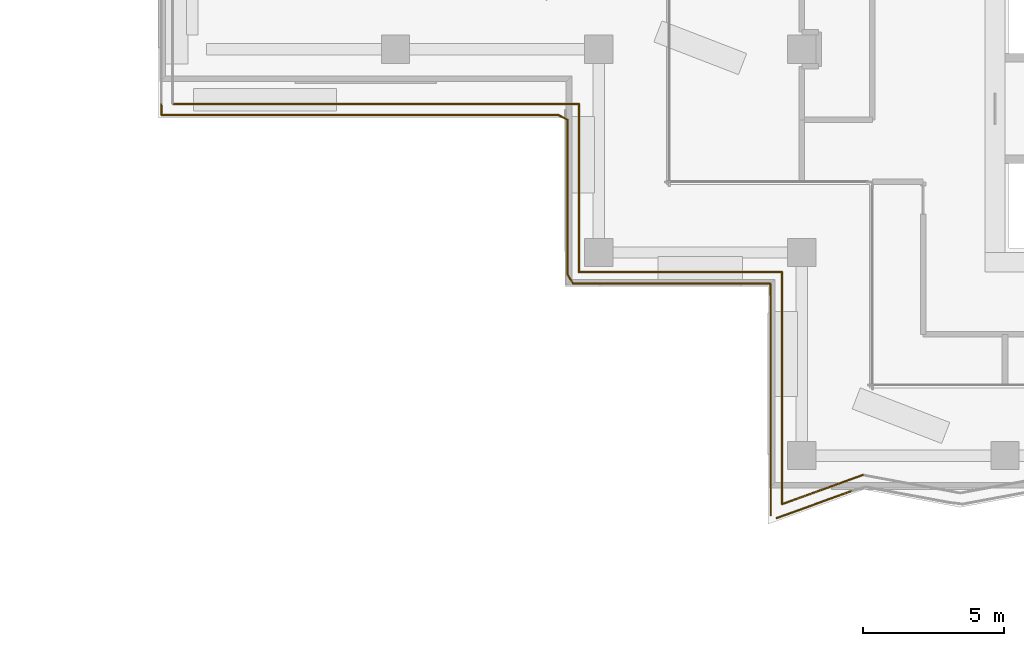
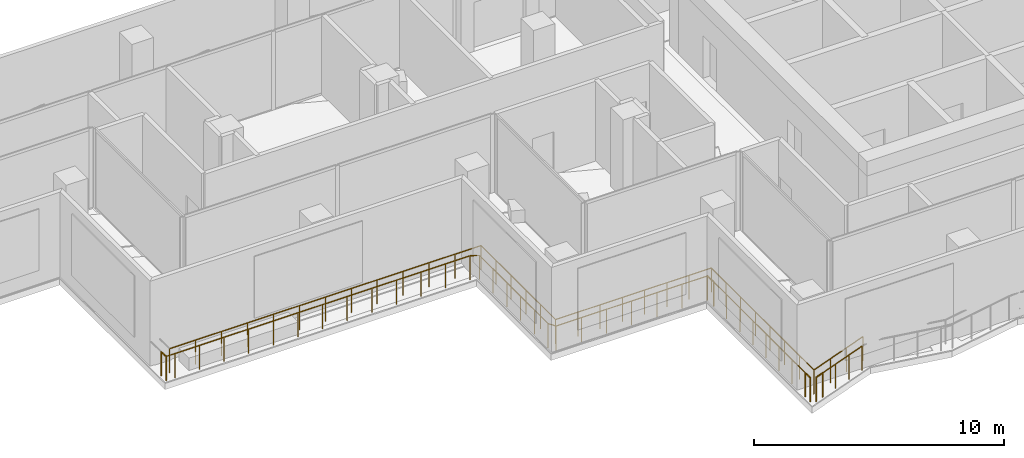
# One storey, part 14 of 23: 17 railings.
"""IFC4 building model written with IfcOpenShell, lengths in metres."""

from ifc_helpers import new_model, si_unit, direction, frame, origin, origin_2d, place, context, subcontext, project, spatial, circle, extrude, material, type_object, element, save


model = new_model("IFC4")

# Units and contexts
model_context = context("Model", 3, precision=1e-05, world=origin(), true_north=direction((0.0, 1.0)))
body_context = subcontext(model_context, "Body", "Model", "MODEL_VIEW")
ifc_project = project(units=[si_unit("LENGTHUNIT", "METRE"), si_unit("AREAUNIT", "SQUARE_METRE"), si_unit("VOLUMEUNIT", "CUBIC_METRE"), si_unit("PLANEANGLEUNIT", "RADIAN"), si_unit("MASSUNIT", "GRAM", prefix="KILO")], contexts=[model_context])

# Site, building, storey
site_placement = place(None, origin())
site = spatial("IfcSite", under=ifc_project, at=site_placement, CompositionType="ELEMENT")
building_placement = place(site_placement, origin())
building = spatial("IfcBuilding", under=site, at=building_placement, Name="Windrow Commons", CompositionType="ELEMENT")
storey_placement = place(building_placement, frame((0.0, 0.0, 122.0)))
storey = spatial("IfcBuildingStorey", under=building, at=storey_placement, Name="L33", CompositionType="ELEMENT", Elevation=122.0)

# Railings
ifc_material = material(Name="Stainless steel S316 balustrade with toughened glass infill", Category="steel")
railing_type = type_object("IfcRailingType", Name="Terrace guard 1200 podium", PredefinedType="BALUSTRADE", material=ifc_material)
railing_1_placement = place(storey_placement, frame((52.5639, 42.5164, 0.05)))
element("IfcRailing", 1, at=railing_1_placement, inside=storey, type_object=railing_type, Name="Guard TR-L33-1.E11", PredefinedType="BALUSTRADE", context=body_context, shape_type="SweptSolid", body=[
    extrude(circle(Radius=0.025, at=origin_2d()), frame((0.0, 0.0, 1.175), z_axis=(-0.9402899478, -0.3403745204, 0.0), x_axis=(0.3403745204, -0.9402899478, 0.0)), (0.0, 0.0, 1.0), 3.0458),
    extrude(circle(Radius=0.02, at=origin_2d()), origin(), (0.0, 0.0, 1.0), 1.15),
    extrude(circle(Radius=0.02, at=origin_2d()), frame((-0.9546, -0.3456, 0.0)), (0.0, 0.0, 1.0), 1.15),
    extrude(circle(Radius=0.02, at=origin_2d()), frame((-1.9093, -0.6911, 0.0)), (0.0, 0.0, 1.0), 1.15),
    extrude(circle(Radius=0.02, at=origin_2d()), frame((-2.8639, -1.0367, 0.0)), (0.0, 0.0, 1.0), 1.15),
])
railing_2_placement = place(storey_placement, frame((49.7, 41.4797, 0.05)))
element("IfcRailing", 2, at=railing_2_placement, inside=storey, type_object=railing_type, Name="Guard TR-L33-1.E12", PredefinedType="BALUSTRADE", context=body_context, shape_type="SweptSolid", body=[
    extrude(circle(Radius=0.025, at=origin_2d()), frame((0.0, 0.0, 1.175), z_axis=(0.0, 1.0, 0.0), x_axis=(-1.0, 0.0, 0.0)), (0.0, 0.0, 1.0), 8.2203),
    extrude(circle(Radius=0.02, at=origin_2d()), origin(), (0.0, 0.0, 1.0), 1.15),
    extrude(circle(Radius=0.02, at=origin_2d()), frame((0.0, 1.1743, 0.0)), (0.0, 0.0, 1.0), 1.15),
    extrude(circle(Radius=0.02, at=origin_2d()), frame((0.0, 2.3487, 0.0)), (0.0, 0.0, 1.0), 1.15),
    extrude(circle(Radius=0.02, at=origin_2d()), frame((0.0, 3.523, 0.0)), (0.0, 0.0, 1.0), 1.15),
    extrude(circle(Radius=0.02, at=origin_2d()), frame((0.0, 4.6973, 0.0)), (0.0, 0.0, 1.0), 1.15),
    extrude(circle(Radius=0.02, at=origin_2d()), frame((0.0, 5.8716, 0.0)), (0.0, 0.0, 1.0), 1.15),
    extrude(circle(Radius=0.02, at=origin_2d()), frame((0.0, 7.046, 0.0)), (0.0, 0.0, 1.0), 1.15),
    extrude(circle(Radius=0.02, at=origin_2d()), frame((0.0, 8.2203, 0.0)), (0.0, 0.0, 1.0), 1.15),
])
railing_3_placement = place(storey_placement, frame((49.7, 49.7, 0.05)))
element("IfcRailing", 3, at=railing_3_placement, inside=storey, type_object=railing_type, Name="Guard TR-L33-1.E13", PredefinedType="BALUSTRADE", context=body_context, shape_type="SweptSolid", body=[
    extrude(circle(Radius=0.025, at=origin_2d()), frame((0.0, 0.0, 1.175), z_axis=(-1.0, 0.0, 0.0), x_axis=(0.0, -1.0, 0.0)), (0.0, 0.0, 1.0), 7.2),
    extrude(circle(Radius=0.02, at=origin_2d()), origin(), (0.0, 0.0, 1.0), 1.15),
    extrude(circle(Radius=0.02, at=origin_2d()), frame((-1.0286, 0.0, 0.0)), (0.0, 0.0, 1.0), 1.15),
    extrude(circle(Radius=0.02, at=origin_2d()), frame((-2.0571, 0.0, 0.0)), (0.0, 0.0, 1.0), 1.15),
    extrude(circle(Radius=0.02, at=origin_2d()), frame((-3.0857, 0.0, 0.0)), (0.0, 0.0, 1.0), 1.15),
    extrude(circle(Radius=0.02, at=origin_2d()), frame((-4.1143, 0.0, 0.0)), (0.0, 0.0, 1.0), 1.15),
    extrude(circle(Radius=0.02, at=origin_2d()), frame((-5.1429, 0.0, 0.0)), (0.0, 0.0, 1.0), 1.15),
    extrude(circle(Radius=0.02, at=origin_2d()), frame((-6.1714, 0.0, 0.0)), (0.0, 0.0, 1.0), 1.15),
    extrude(circle(Radius=0.02, at=origin_2d()), frame((-7.2, 0.0, 0.0)), (0.0, 0.0, 1.0), 1.15),
])
railing_4_placement = place(storey_placement, frame((42.5, 49.7, 0.05)))
element("IfcRailing", 4, at=railing_4_placement, inside=storey, type_object=railing_type, Name="Guard TR-L33-1.E14", PredefinedType="BALUSTRADE", context=body_context, shape_type="SweptSolid", body=[
    extrude(circle(Radius=0.025, at=origin_2d()), frame((0.0, 0.0, 1.175), z_axis=(0.0, 1.0, 0.0), x_axis=(-1.0, 0.0, 0.0)), (0.0, 0.0, 1.0), 5.967),
    extrude(circle(Radius=0.02, at=origin_2d()), origin(), (0.0, 0.0, 1.0), 1.15),
    extrude(circle(Radius=0.02, at=origin_2d()), frame((0.0, 1.1934, 0.0)), (0.0, 0.0, 1.0), 1.15),
    extrude(circle(Radius=0.02, at=origin_2d()), frame((0.0, 2.3868, 0.0)), (0.0, 0.0, 1.0), 1.15),
    extrude(circle(Radius=0.02, at=origin_2d()), frame((0.0, 3.5802, 0.0)), (0.0, 0.0, 1.0), 1.15),
    extrude(circle(Radius=0.02, at=origin_2d()), frame((0.0, 4.7736, 0.0)), (0.0, 0.0, 1.0), 1.15),
    extrude(circle(Radius=0.02, at=origin_2d()), frame((0.0, 5.967, 0.0)), (0.0, 0.0, 1.0), 1.15),
])
railing_5_placement = place(storey_placement, frame((42.5, 55.667, 0.05)))
element("IfcRailing", 5, at=railing_5_placement, inside=storey, type_object=railing_type, Name="Guard TR-L33-1.E15", PredefinedType="BALUSTRADE", context=body_context, shape_type="SweptSolid", body=[
    extrude(circle(Radius=0.025, at=origin_2d()), frame((0.0, 0.0, 1.175), z_axis=(-1.0, 0.0, 0.0), x_axis=(0.0, -1.0, 0.0)), (0.0, 0.0, 1.0), 14.4),
    extrude(circle(Radius=0.02, at=origin_2d()), origin(), (0.0, 0.0, 1.0), 1.15),
    extrude(circle(Radius=0.02, at=origin_2d()), frame((-1.2, 0.0, 0.0)), (0.0, 0.0, 1.0), 1.15),
    extrude(circle(Radius=0.02, at=origin_2d()), frame((-2.4, 0.0, 0.0)), (0.0, 0.0, 1.0), 1.15),
    extrude(circle(Radius=0.02, at=origin_2d()), frame((-3.6, 0.0, 0.0)), (0.0, 0.0, 1.0), 1.15),
    extrude(circle(Radius=0.02, at=origin_2d()), frame((-4.8, 0.0, 0.0)), (0.0, 0.0, 1.0), 1.15),
    extrude(circle(Radius=0.02, at=origin_2d()), frame((-6.0, 0.0, 0.0)), (0.0, 0.0, 1.0), 1.15),
    extrude(circle(Radius=0.02, at=origin_2d()), frame((-7.2, 0.0, 0.0)), (0.0, 0.0, 1.0), 1.15),
    extrude(circle(Radius=0.02, at=origin_2d()), frame((-8.4, 0.0, 0.0)), (0.0, 0.0, 1.0), 1.15),
    extrude(circle(Radius=0.02, at=origin_2d()), frame((-9.6, 0.0, 0.0)), (0.0, 0.0, 1.0), 1.15),
    extrude(circle(Radius=0.02, at=origin_2d()), frame((-10.8, 0.0, 0.0)), (0.0, 0.0, 1.0), 1.15),
    extrude(circle(Radius=0.02, at=origin_2d()), frame((-12.0, 0.0, 0.0)), (0.0, 0.0, 1.0), 1.15),
    extrude(circle(Radius=0.02, at=origin_2d()), frame((-13.2, 0.0, 0.0)), (0.0, 0.0, 1.0), 1.15),
    extrude(circle(Radius=0.02, at=origin_2d()), frame((-14.4, 0.0, 0.0)), (0.0, 0.0, 1.0), 1.15),
])
railing_6_placement = place(storey_placement, frame((28.1119, 55.267, 0.05)))
element("IfcRailing", 6, at=railing_6_placement, inside=storey, type_object=railing_type, Name="Guard TR-L33-1.C53", PredefinedType="BALUSTRADE", context=body_context, shape_type="SweptSolid", body=[
    extrude(circle(Radius=0.025, at=origin_2d()), frame((0.0, 0.0, 1.175), z_axis=(-1.0, 0.0, 0.0), x_axis=(0.0, -1.0, 0.0)), (0.0, 0.0, 1.0), 0.4002),
    extrude(circle(Radius=0.02, at=origin_2d()), origin(), (0.0, 0.0, 1.0), 1.15),
    extrude(circle(Radius=0.02, at=origin_2d()), frame((-0.4002, 0.0, 0.0)), (0.0, 0.0, 1.0), 1.15),
])
railing_7_placement = place(storey_placement, frame((27.7117, 55.267, 0.05)))
element("IfcRailing", 7, at=railing_7_placement, inside=storey, type_object=railing_type, Name="Guard TR-L33-1.C54", PredefinedType="BALUSTRADE", context=body_context, shape_type="SweptSolid", body=[
    extrude(circle(Radius=0.025, at=origin_2d()), frame((0.0, 0.0, 1.175), z_axis=(-0.0301099257, 0.9995465934, 0.0), x_axis=(-0.9995465934, -0.0301099257, 0.0)), (0.0, 0.0, 1.0), 0.3886),
    extrude(circle(Radius=0.02, at=origin_2d()), origin(), (0.0, 0.0, 1.0), 1.15),
    extrude(circle(Radius=0.02, at=origin_2d()), frame((-0.0117, 0.3884, 0.0)), (0.0, 0.0, 1.0), 1.15),
])
railing_8_placement = place(storey_placement, frame((49.892, 41.1238, 0.05)))
element("IfcRailing", 8, at=railing_8_placement, inside=storey, type_object=railing_type, Name="Guard TR-L33-1.C55", PredefinedType="BALUSTRADE", context=body_context, shape_type="SweptSolid", body=[
    extrude(circle(Radius=0.025, at=origin_2d()), frame((0.0, 0.0, 1.175), z_axis=(-0.9403543824, -0.340196466, 0.0), x_axis=(0.340196466, -0.9403543824, 0.0)), (0.0, 0.0, 1.0), 0.4051),
    extrude(circle(Radius=0.02, at=origin_2d()), origin(), (0.0, 0.0, 1.0), 1.15),
    extrude(circle(Radius=0.02, at=origin_2d()), frame((-0.3809, -0.1378, 0.0)), (0.0, 0.0, 1.0), 1.15),
])
railing_9_placement = place(storey_placement, frame((49.3, 41.0902, 0.05)))
element("IfcRailing", 9, at=railing_9_placement, inside=storey, type_object=railing_type, Name="Guard TR-L33-1.C56", PredefinedType="BALUSTRADE", context=body_context, shape_type="SweptSolid", body=[
    extrude(circle(Radius=0.025, at=origin_2d()), frame((0.0, 0.0, 1.175), z_axis=(0.0, 1.0, 0.0), x_axis=(-1.0, 0.0, 0.0)), (0.0, 0.0, 1.0), 0.4051),
    extrude(circle(Radius=0.02, at=origin_2d()), origin(), (0.0, 0.0, 1.0), 1.15),
    extrude(circle(Radius=0.02, at=origin_2d()), frame((0.0, 0.4051, 0.0)), (0.0, 0.0, 1.0), 1.15),
])
railing_10_placement = place(storey_placement, frame((52.1936, 41.957, 0.05)))
element("IfcRailing", 10, at=railing_10_placement, inside=storey, type_object=railing_type, Name="Guard TR-L33-1.C78", PredefinedType="BALUSTRADE", context=body_context, shape_type="SweptSolid", body=[
    extrude(circle(Radius=0.025, at=origin_2d()), frame((0.0, 0.0, 1.175), z_axis=(-0.9402838864, -0.3403912644, 0.0), x_axis=(0.3403912644, -0.9402838864, 0.0)), (0.0, 0.0, 1.0), 2.4478),
    extrude(circle(Radius=0.02, at=origin_2d()), origin(), (0.0, 0.0, 1.0), 1.15),
    extrude(circle(Radius=0.02, at=origin_2d()), frame((-0.7672, -0.2777, 0.0)), (0.0, 0.0, 1.0), 1.15),
    extrude(circle(Radius=0.02, at=origin_2d()), frame((-1.5344, -0.5555, 0.0)), (0.0, 0.0, 1.0), 1.15),
    extrude(circle(Radius=0.02, at=origin_2d()), frame((-2.3016, -0.8332, 0.0)), (0.0, 0.0, 1.0), 1.15),
])
railing_11_placement = place(storey_placement, frame((49.3, 41.4953, 0.05)))
element("IfcRailing", 11, at=railing_11_placement, inside=storey, type_object=railing_type, Name="Guard TR-L33-1.C79", PredefinedType="BALUSTRADE", context=body_context, shape_type="SweptSolid", body=[
    extrude(circle(Radius=0.025, at=origin_2d()), frame((0.0, 0.0, 1.175), z_axis=(0.0, 1.0, 0.0), x_axis=(-1.0, 0.0, 0.0)), (0.0, 0.0, 1.0), 7.3224),
    extrude(circle(Radius=0.02, at=origin_2d()), origin(), (0.0, 0.0, 1.0), 1.15),
    extrude(circle(Radius=0.02, at=origin_2d()), frame((0.0, 1.0461, 0.0)), (0.0, 0.0, 1.0), 1.15),
    extrude(circle(Radius=0.02, at=origin_2d()), frame((0.0, 2.0921, 0.0)), (0.0, 0.0, 1.0), 1.15),
    extrude(circle(Radius=0.02, at=origin_2d()), frame((0.0, 3.1382, 0.0)), (0.0, 0.0, 1.0), 1.15),
    extrude(circle(Radius=0.02, at=origin_2d()), frame((0.0, 4.1842, 0.0)), (0.0, 0.0, 1.0), 1.15),
    extrude(circle(Radius=0.02, at=origin_2d()), frame((0.0, 5.2303, 0.0)), (0.0, 0.0, 1.0), 1.15),
    extrude(circle(Radius=0.02, at=origin_2d()), frame((0.0, 6.2763, 0.0)), (0.0, 0.0, 1.0), 1.15),
    extrude(circle(Radius=0.02, at=origin_2d()), frame((0.0, 7.3224, 0.0)), (0.0, 0.0, 1.0), 1.15),
])
railing_12_placement = place(storey_placement, frame((49.3, 48.8177, 0.05)))
element("IfcRailing", 12, at=railing_12_placement, inside=storey, type_object=railing_type, Name="Guard TR-L33-1.C80", PredefinedType="BALUSTRADE", context=body_context, shape_type="SweptSolid", body=[
    extrude(circle(Radius=0.025, at=origin_2d()), frame((0.0, 0.0, 1.175), z_axis=(-0.0354328472, 0.9993720595, 0.0), x_axis=(-0.9993720595, -0.0354328472, 0.0)), (0.0, 0.0, 1.0), 0.4826),
    extrude(circle(Radius=0.02, at=origin_2d()), origin(), (0.0, 0.0, 1.0), 1.15),
    extrude(circle(Radius=0.02, at=origin_2d()), frame((-0.0171, 0.4823, 0.0)), (0.0, 0.0, 1.0), 1.15),
])
railing_13_placement = place(storey_placement, frame((49.2829, 49.3, 0.05)))
element("IfcRailing", 13, at=railing_13_placement, inside=storey, type_object=railing_type, Name="Guard TR-L33-1.C81", PredefinedType="BALUSTRADE", context=body_context, shape_type="SweptSolid", body=[
    extrude(circle(Radius=0.025, at=origin_2d()), frame((0.0, 0.0, 1.175), z_axis=(-1.0, 0.0, 0.0), x_axis=(0.0, -1.0, 0.0)), (0.0, 0.0, 1.0), 6.9908),
    extrude(circle(Radius=0.02, at=origin_2d()), origin(), (0.0, 0.0, 1.0), 1.15),
    extrude(circle(Radius=0.02, at=origin_2d()), frame((-1.1651, 0.0, 0.0)), (0.0, 0.0, 1.0), 1.15),
    extrude(circle(Radius=0.02, at=origin_2d()), frame((-2.3303, 0.0, 0.0)), (0.0, 0.0, 1.0), 1.15),
    extrude(circle(Radius=0.02, at=origin_2d()), frame((-3.4954, 0.0, 0.0)), (0.0, 0.0, 1.0), 1.15),
    extrude(circle(Radius=0.02, at=origin_2d()), frame((-4.6605, 0.0, 0.0)), (0.0, 0.0, 1.0), 1.15),
    extrude(circle(Radius=0.02, at=origin_2d()), frame((-5.8257, 0.0, 0.0)), (0.0, 0.0, 1.0), 1.15),
    extrude(circle(Radius=0.02, at=origin_2d()), frame((-6.9908, 0.0, 0.0)), (0.0, 0.0, 1.0), 1.15),
])
railing_14_placement = place(storey_placement, frame((42.2921, 49.3, 0.05)))
element("IfcRailing", 14, at=railing_14_placement, inside=storey, type_object=railing_type, Name="Guard TR-L33-1.C82", PredefinedType="BALUSTRADE", context=body_context, shape_type="SweptSolid", body=[
    extrude(circle(Radius=0.025, at=origin_2d()), frame((0.0, 0.0, 1.175), z_axis=(-0.5301973979, 0.8478742355, 0.0), x_axis=(-0.8478742355, -0.5301973979, 0.0)), (0.0, 0.0, 1.0), 0.3623),
    extrude(circle(Radius=0.02, at=origin_2d()), origin(), (0.0, 0.0, 1.0), 1.15),
    extrude(circle(Radius=0.02, at=origin_2d()), frame((-0.1921, 0.3072, 0.0)), (0.0, 0.0, 1.0), 1.15),
])
railing_15_placement = place(storey_placement, frame((42.1, 49.6072, 0.05)))
element("IfcRailing", 15, at=railing_15_placement, inside=storey, type_object=railing_type, Name="Guard TR-L33-1.C83", PredefinedType="BALUSTRADE", context=body_context, shape_type="SweptSolid", body=[
    extrude(circle(Radius=0.025, at=origin_2d()), frame((0.0, 0.0, 1.175), z_axis=(0.0, 1.0, 0.0), x_axis=(-1.0, 0.0, 0.0)), (0.0, 0.0, 1.0), 5.4928),
    extrude(circle(Radius=0.02, at=origin_2d()), origin(), (0.0, 0.0, 1.0), 1.15),
    extrude(circle(Radius=0.02, at=origin_2d()), frame((0.0, 1.0986, 0.0)), (0.0, 0.0, 1.0), 1.15),
    extrude(circle(Radius=0.02, at=origin_2d()), frame((0.0, 2.1971, 0.0)), (0.0, 0.0, 1.0), 1.15),
    extrude(circle(Radius=0.02, at=origin_2d()), frame((0.0, 3.2957, 0.0)), (0.0, 0.0, 1.0), 1.15),
    extrude(circle(Radius=0.02, at=origin_2d()), frame((0.0, 4.3942, 0.0)), (0.0, 0.0, 1.0), 1.15),
    extrude(circle(Radius=0.02, at=origin_2d()), frame((0.0, 5.4928, 0.0)), (0.0, 0.0, 1.0), 1.15),
])
railing_16_placement = place(storey_placement, frame((42.1, 55.1, 0.05)))
element("IfcRailing", 16, at=railing_16_placement, inside=storey, type_object=railing_type, Name="Guard TR-L33-1.C84", PredefinedType="BALUSTRADE", context=body_context, shape_type="SweptSolid", body=[
    extrude(circle(Radius=0.025, at=origin_2d()), frame((0.0, 0.0, 1.175), z_axis=(-0.8935111067, 0.4490410919, 0.0), x_axis=(-0.4490410919, -0.8935111067, 0.0)), (0.0, 0.0, 1.0), 0.3719),
    extrude(circle(Radius=0.02, at=origin_2d()), origin(), (0.0, 0.0, 1.0), 1.15),
    extrude(circle(Radius=0.02, at=origin_2d()), frame((-0.3323, 0.167, 0.0)), (0.0, 0.0, 1.0), 1.15),
])
railing_17_placement = place(storey_placement, frame((41.7677, 55.267, 0.05)))
element("IfcRailing", 17, at=railing_17_placement, inside=storey, type_object=railing_type, Name="Guard TR-L33-1.C85", PredefinedType="BALUSTRADE", context=body_context, shape_type="SweptSolid", body=[
    extrude(circle(Radius=0.025, at=origin_2d()), frame((0.0, 0.0, 1.175), z_axis=(-1.0, 0.0, 0.0), x_axis=(0.0, -1.0, 0.0)), (0.0, 0.0, 1.0), 13.6558),
    extrude(circle(Radius=0.02, at=origin_2d()), origin(), (0.0, 0.0, 1.0), 1.15),
    extrude(circle(Radius=0.02, at=origin_2d()), frame((-1.138, 0.0, 0.0)), (0.0, 0.0, 1.0), 1.15),
    extrude(circle(Radius=0.02, at=origin_2d()), frame((-2.276, 0.0, 0.0)), (0.0, 0.0, 1.0), 1.15),
    extrude(circle(Radius=0.02, at=origin_2d()), frame((-3.4139, 0.0, 0.0)), (0.0, 0.0, 1.0), 1.15),
    extrude(circle(Radius=0.02, at=origin_2d()), frame((-4.5519, 0.0, 0.0)), (0.0, 0.0, 1.0), 1.15),
    extrude(circle(Radius=0.02, at=origin_2d()), frame((-5.6899, 0.0, 0.0)), (0.0, 0.0, 1.0), 1.15),
    extrude(circle(Radius=0.02, at=origin_2d()), frame((-6.8279, 0.0, 0.0)), (0.0, 0.0, 1.0), 1.15),
    extrude(circle(Radius=0.02, at=origin_2d()), frame((-7.9659, 0.0, 0.0)), (0.0, 0.0, 1.0), 1.15),
    extrude(circle(Radius=0.02, at=origin_2d()), frame((-9.1039, 0.0, 0.0)), (0.0, 0.0, 1.0), 1.15),
    extrude(circle(Radius=0.02, at=origin_2d()), frame((-10.2418, 0.0, 0.0)), (0.0, 0.0, 1.0), 1.15),
    extrude(circle(Radius=0.02, at=origin_2d()), frame((-11.3798, 0.0, 0.0)), (0.0, 0.0, 1.0), 1.15),
    extrude(circle(Radius=0.02, at=origin_2d()), frame((-12.5178, 0.0, 0.0)), (0.0, 0.0, 1.0), 1.15),
    extrude(circle(Radius=0.02, at=origin_2d()), frame((-13.6558, 0.0, 0.0)), (0.0, 0.0, 1.0), 1.15),
])

save(model, "model.ifc")
